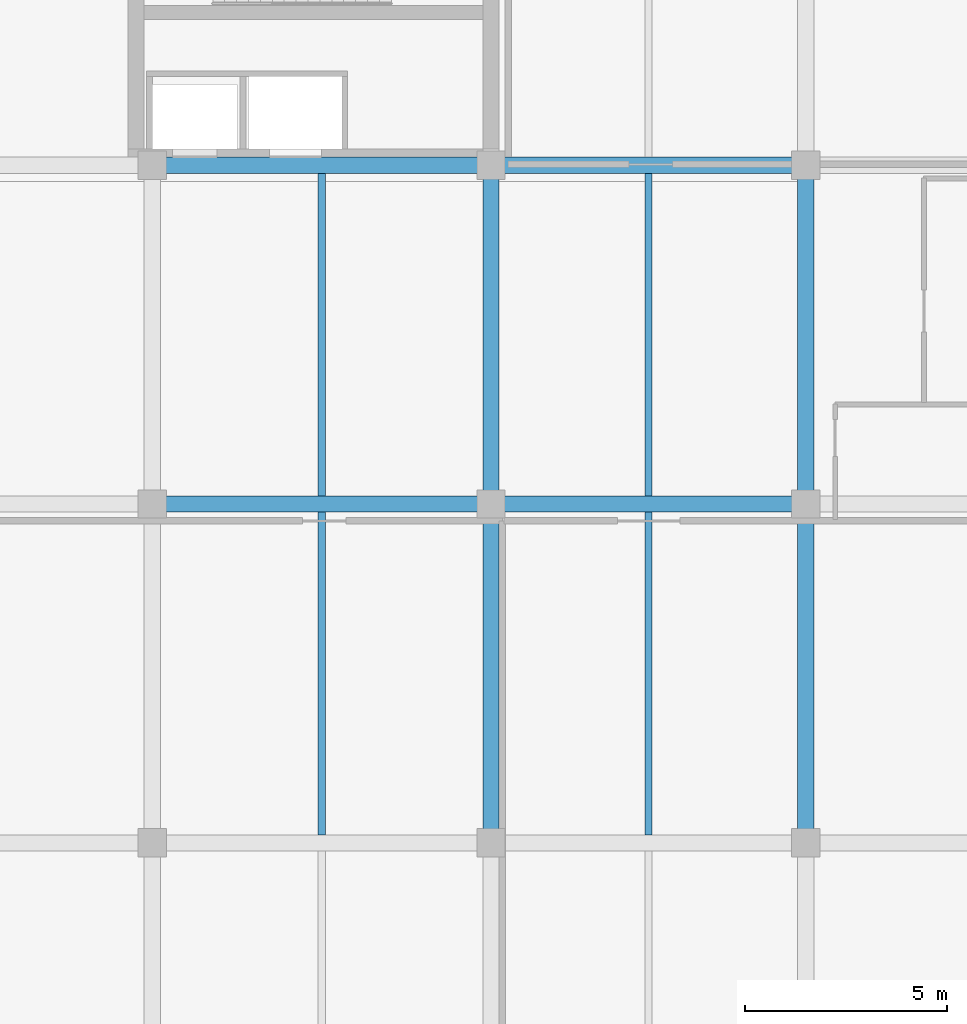
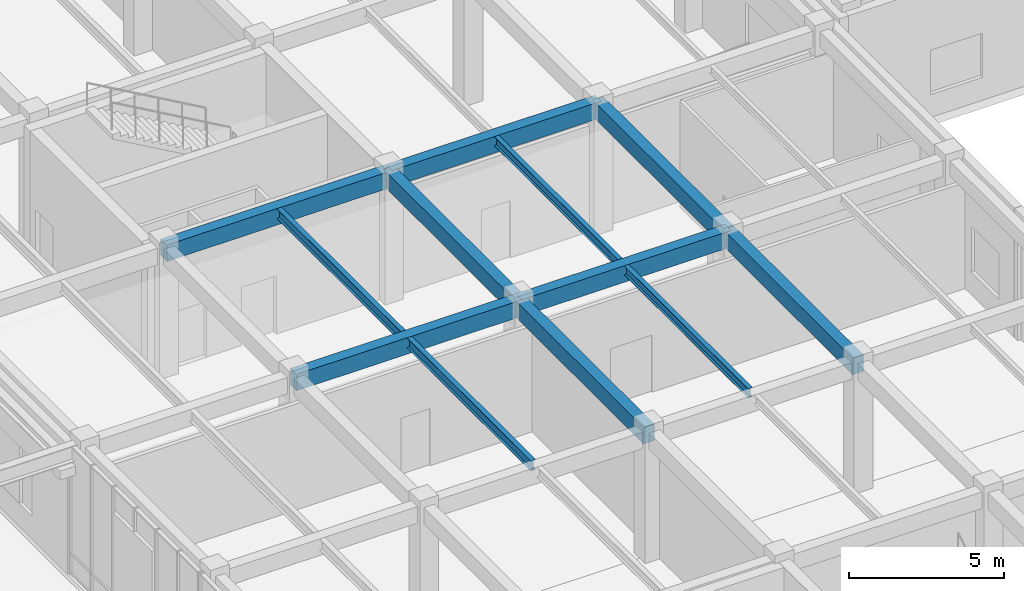
# One storey, part 59 of 122: 12 beams.
"""IFC4 building model written with IfcOpenShell, lengths in metres."""

from ifc_helpers import new_model, si_unit, direction, frame, origin, origin_2d, place, context, subcontext, project, spatial, rectangle, i_section, extrude, material, material_profile, profile_set, type_object, element, save


model = new_model("IFC4")

# Units and contexts
model_context = context("Model", 3, precision=1e-05, world=origin(), true_north=direction((0.0, 1.0)))
body_context = subcontext(model_context, "Body", "Model", "MODEL_VIEW")
ifc_project = project(units=[si_unit("LENGTHUNIT", "METRE"), si_unit("AREAUNIT", "SQUARE_METRE"), si_unit("VOLUMEUNIT", "CUBIC_METRE"), si_unit("PLANEANGLEUNIT", "RADIAN"), si_unit("MASSUNIT", "GRAM", prefix="KILO")], contexts=[model_context])

# Site, building, storey
site_placement = place(None, origin())
site = spatial("IfcSite", under=ifc_project, at=site_placement, CompositionType="ELEMENT")
building_placement = place(site_placement, origin())
building = spatial("IfcBuilding", under=site, at=building_placement, Name="Zayran Congress Hotel", CompositionType="ELEMENT")
storey_placement = place(building_placement, origin())
storey = spatial("IfcBuildingStorey", under=building, at=storey_placement, Name="L00", CompositionType="ELEMENT", Elevation=0.0)

# Beams
ifc_material_1 = material(Name="Concrete C40/50", Category="concrete")
ifc_material_profile_1 = material_profile(ifc_material_1, rectangle(XDim=0.39990234375, YDim=0.64990234375, at=origin_2d()), Name="RC 400x650")
ifc_profile_set_1 = profile_set([ifc_material_profile_1], Name="Concrete C40/50")
beam_type_1 = type_object("IfcBeamType", Name="TP-BM-03", PredefinedType="BEAM", material=ifc_profile_set_1)
beam_1_placement = place(storey_placement, frame((117.60009765625, 76.0, 4.77490234375), z_axis=(1.0, 0.0, 0.0), x_axis=(0.0, 1.0, 0.0)))
element("IfcBeam", 1, at=beam_1_placement, inside=storey, type_object=beam_type_1, Name="BM-V4-L00-1223", PredefinedType="BEAM", context=body_context, shape_type="SweptSolid", body=[
    extrude(rectangle(XDim=0.39990234375, YDim=0.64990234375, at=origin_2d()), origin(), (0.0, 0.0, 1.0), 8.39990234375),
])
beam_2_placement = place(storey_placement, frame((126.0, 76.0, 4.77490234375), z_axis=(1.0, 0.0, 0.0), x_axis=(0.0, 1.0, 0.0)))
element("IfcBeam", 2, at=beam_2_placement, inside=storey, type_object=beam_type_1, Name="BM-V4-L00-1224", PredefinedType="BEAM", context=body_context, shape_type="SweptSolid", body=[
    extrude(rectangle(XDim=0.39990234375, YDim=0.64990234375, at=origin_2d()), origin(), (0.0, 0.0, 1.0), 7.800048828125),
])
beam_3_placement = place(storey_placement, frame((117.60009765625, 84.39990234375, 4.77490234375), z_axis=(1.0, 0.0, 0.0), x_axis=(0.0, 1.0, 0.0)))
element("IfcBeam", 3, at=beam_3_placement, inside=storey, type_object=beam_type_1, Name="BM-V4-L00-1227", PredefinedType="BEAM", context=body_context, shape_type="SweptSolid", body=[
    extrude(rectangle(XDim=0.39990234375, YDim=0.64990234375, at=origin_2d()), origin(), (0.0, 0.0, 1.0), 8.39990234375),
])
beam_4_placement = place(storey_placement, frame((126.0, 84.39990234375, 4.77490234375), z_axis=(1.0, 0.0, 0.0), x_axis=(0.0, 1.0, 0.0)))
element("IfcBeam", 4, at=beam_4_placement, inside=storey, type_object=beam_type_1, Name="BM-V4-L00-1228", PredefinedType="BEAM", context=body_context, shape_type="SweptSolid", body=[
    extrude(rectangle(XDim=0.39990234375, YDim=0.64990234375, at=origin_2d()), origin(), (0.0, 0.0, 1.0), 7.800048828125),
])
for number, where, z_axis, x_axis, name in (
    (5, (126.0, 67.60009765625, 4.77490234375), (0.0, 1.0, 0.0), (-1.0, 0.0, 0.0), "BM-V4-L00-1259"),
    (6, (126.0, 76.0, 4.77490234375), (0.0, 1.0, 0.0), (-1.0, 0.0, 0.0), "BM-V4-L00-1260"),
    (7, (133.800048828125, 67.60009765625, 4.77490234375), (0.0, 1.0, 0.0), (-1.0, 0.0, 0.0), "BM-V4-L00-1267"),
    (8, (133.800048828125, 76.0, 4.77490234375), (0.0, 1.0, 0.0), (-1.0, 0.0, 0.0), "BM-V4-L00-1268"),
):
    element("IfcBeam", number, at=place(storey_placement, frame(where, z_axis=z_axis, x_axis=x_axis)), inside=storey, type_object=beam_type_1, Name=name, PredefinedType="BEAM", context=body_context, shape_type="SweptSolid", body=[
        extrude(rectangle(XDim=0.39990234375, YDim=0.64990234375, at=origin_2d()), origin(), (0.0, 0.0, 1.0), 8.39990234375),
    ])
ifc_material_2 = material(Name="Steel S355", Category="steel")
ifc_material_profile_2 = material_profile(ifc_material_2, i_section(OverallWidth=0.179931640625, OverallDepth=0.39990234375, WebThickness=0.008544921875, FlangeThickness=0.013427734375, at=origin_2d()), Name="IPE 400")
ifc_profile_set_2 = profile_set([ifc_material_profile_2], Name="Steel S355")
beam_type_2 = type_object("IfcBeamType", Name="TP-JS-03", PredefinedType="JOIST", material=ifc_profile_set_2)
for number, where, z_axis, x_axis, name in (
    (9, (121.800048828125, 67.800048828125, 4.89990234375), (0.0, 1.0, 0.0), (-1.0, 0.0, 0.0), "JST-V4-L00-1290"),
    (10, (121.800048828125, 76.199951171875, 4.89990234375), (0.0, 1.0, 0.0), (-1.0, 0.0, 0.0), "JST-V4-L00-1291"),
):
    element("IfcBeam", number, at=place(storey_placement, frame(where, z_axis=z_axis, x_axis=x_axis)), inside=storey, type_object=beam_type_2, Name=name, PredefinedType="JOIST", context=body_context, shape_type="SweptSolid", body=[
        extrude(i_section(OverallWidth=0.179931640625, OverallDepth=0.39990234375, WebThickness=0.008544921875, FlangeThickness=0.013427734375, at=origin_2d()), origin(), (0.0, 0.0, 1.0), 8.0),
    ])
ifc_material_profile_3 = material_profile(ifc_material_2, i_section(OverallWidth=0.169921875, OverallDepth=0.360107421875, WebThickness=0.008056640625, FlangeThickness=0.0126953125, at=origin_2d()), Name="IPE 360")
ifc_profile_set_3 = profile_set([ifc_material_profile_3], Name="Steel S355")
beam_type_3 = type_object("IfcBeamType", Name="TP-JS-04", PredefinedType="JOIST", material=ifc_profile_set_3)
for number, where, z_axis, x_axis, name in (
    (11, (129.89990234375, 67.800048828125, 4.919921875), (0.0, 1.0, 0.0), (-1.0, 0.0, 0.0), "JST-V4-L00-1295"),
    (12, (129.89990234375, 76.199951171875, 4.919921875), (0.0, 1.0, 0.0), (-1.0, 0.0, 0.0), "JST-V4-L00-1296"),
):
    element("IfcBeam", number, at=place(storey_placement, frame(where, z_axis=z_axis, x_axis=x_axis)), inside=storey, type_object=beam_type_3, Name=name, PredefinedType="JOIST", context=body_context, shape_type="SweptSolid", body=[
        extrude(i_section(OverallWidth=0.169921875, OverallDepth=0.360107421875, WebThickness=0.008056640625, FlangeThickness=0.0126953125, at=origin_2d()), origin(), (0.0, 0.0, 1.0), 8.0),
    ])

save(model, "model.ifc")
